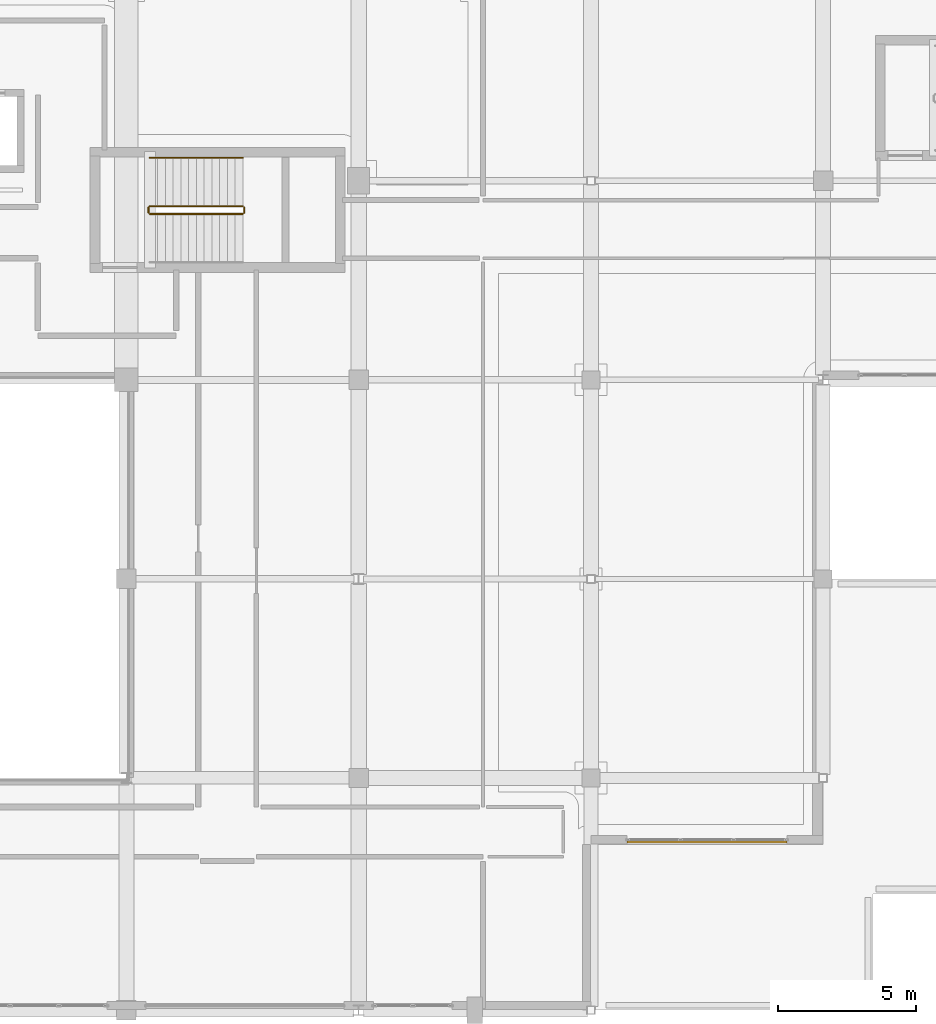
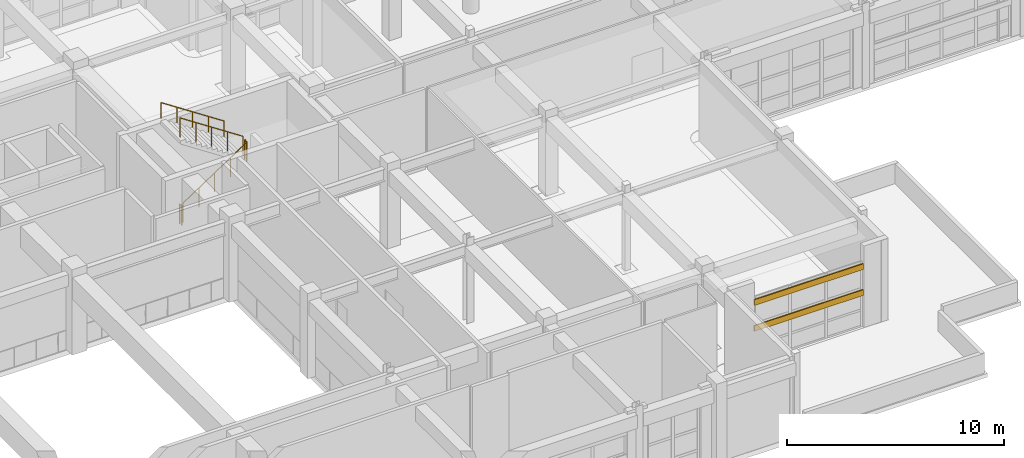
# One storey, part 120 of 123: 5 railings, 2 shading devices.
"""IFC4 building model written with IfcOpenShell, lengths in metres."""

from ifc_helpers import new_model, si_unit, direction, frame, origin, origin_2d, place, context, subcontext, project, spatial, hollow_rectangle, circle, extrude, material, material_profile, profile_set, type_object, element, save


model = new_model("IFC4")

# Units and contexts
model_context = context("Model", 3, precision=1e-05, world=origin(), true_north=direction((0.0, 1.0)))
body_context = subcontext(model_context, "Body", "Model", "MODEL_VIEW")
ifc_project = project(units=[si_unit("LENGTHUNIT", "METRE"), si_unit("AREAUNIT", "SQUARE_METRE"), si_unit("VOLUMEUNIT", "CUBIC_METRE"), si_unit("PLANEANGLEUNIT", "RADIAN"), si_unit("MASSUNIT", "GRAM", prefix="KILO")], contexts=[model_context])

# Site, building, storey
site_placement = place(None, origin())
site = spatial("IfcSite", under=ifc_project, at=site_placement, CompositionType="ELEMENT")
building_placement = place(site_placement, origin())
building = spatial("IfcBuilding", under=site, at=building_placement, Name="Quendrovan Civic Courthouse", CompositionType="ELEMENT")
storey_placement = place(building_placement, frame((0.0, 0.0, 5.39990234375)))
storey = spatial("IfcBuildingStorey", under=building, at=storey_placement, Name="L02", CompositionType="ELEMENT", Elevation=5.39990234375)

# Railings
ifc_material_1 = material(Name="Painted galvanized steel", Category="steel")
railing_type_1 = type_object("IfcRailingType", Name="RL-STR-GUARD1100", PredefinedType="GUARDRAIL", material=ifc_material_1)
railing_1_placement = place(storey_placement, frame((84.85009765625, 93.60009765625, 0.184814453125)))
element("IfcRailing", 1, at=railing_1_placement, inside=storey, type_object=railing_type_1, Name="L02 ST3 stair guard 1", PredefinedType="GUARDRAIL", context=body_context, shape_type="SweptSolid", body=[
    extrude(circle(Radius=0.02392578125, at=origin_2d()), frame((0.0, 0.0, 1.076171875), z_axis=(0.834858096282, 0.0, 0.550465220583), x_axis=(0.0, 1.0, 0.0)), (0.0, 0.0, 1.0), 4.0244140625),
    extrude(circle(Radius=0.02099609375, at=origin_2d()), origin(), (0.0, 0.0, 1.0), 1.052001953125),
    extrude(circle(Radius=0.02099609375, at=origin_2d()), frame((0.83984375, 0.0, 0.5537109375)), (0.0, 0.0, 1.0), 1.052001953125),
    extrude(circle(Radius=0.02099609375, at=origin_2d()), frame((1.679931640625, 0.0, 1.107666015625)), (0.0, 0.0, 1.0), 1.052001953125),
    extrude(circle(Radius=0.02099609375, at=origin_2d()), frame((2.52001953125, 0.0, 1.66162109375)), (0.0, 0.0, 1.0), 1.052001953125),
    extrude(circle(Radius=0.02099609375, at=origin_2d()), frame((3.35986328125, 0.0, 2.21533203125)), (0.0, 0.0, 1.0), 1.052001953125),
])
railing_2_placement = place(storey_placement, frame((88.260009765625, 93.64990234375, 2.400146484375)))
element("IfcRailing", 2, at=railing_2_placement, inside=storey, type_object=railing_type_1, Name="L02 ST3 stair guard 2", PredefinedType="GUARDRAIL", context=body_context, shape_type="SweptSolid", body=[
    extrude(circle(Radius=0.02392578125, at=origin_2d()), frame((0.0, 0.0, 1.076171875), z_axis=(0.0, 1.0, 0.0), x_axis=(-1.0, 0.0, 0.0)), (0.0, 0.0, 1.0), 0.18017578125),
    extrude(circle(Radius=0.02099609375, at=origin_2d()), origin(), (0.0, 0.0, 1.0), 1.052001953125),
    extrude(circle(Radius=0.02099609375, at=origin_2d()), frame((0.0, 0.18017578125, 0.0)), (0.0, 0.0, 1.0), 1.052001953125),
])
railing_3_placement = place(storey_placement, frame((88.2099609375, 93.8798828125, 2.584716796875)))
element("IfcRailing", 3, at=railing_3_placement, inside=storey, type_object=railing_type_1, Name="L02 ST3 stair guard 3", PredefinedType="GUARDRAIL", context=body_context, shape_type="SweptSolid", body=[
    extrude(circle(Radius=0.02392578125, at=origin_2d()), frame((0.0, 0.0, 1.076171875), z_axis=(-0.834858096282, 0.0, 0.550465220583), x_axis=(0.0, -1.0, 0.0)), (0.0, 0.0, 1.0), 4.0244140625),
    extrude(circle(Radius=0.02099609375, at=origin_2d()), origin(), (0.0, 0.0, 1.0), 1.052001953125),
    extrude(circle(Radius=0.02099609375, at=origin_2d()), frame((-0.83984375, 0.0, 0.5537109375)), (0.0, 0.0, 1.0), 1.052001953125),
    extrude(circle(Radius=0.02099609375, at=origin_2d()), frame((-1.679931640625, 0.0, 1.107666015625)), (0.0, 0.0, 1.0), 1.052001953125),
    extrude(circle(Radius=0.02099609375, at=origin_2d()), frame((-2.52001953125, 0.0, 1.66162109375)), (0.0, 0.0, 1.0), 1.052001953125),
    extrude(circle(Radius=0.02099609375, at=origin_2d()), frame((-3.35986328125, 0.0, 2.21533203125)), (0.0, 0.0, 1.0), 1.052001953125),
])
railing_4_placement = place(storey_placement, frame((84.800048828125, 93.64990234375, 0.0)))
element("IfcRailing", 4, at=railing_4_placement, inside=storey, type_object=railing_type_1, Name="L02 ST3 stair guard 4", PredefinedType="GUARDRAIL", context=body_context, shape_type="SweptSolid", body=[
    extrude(circle(Radius=0.02392578125, at=origin_2d()), frame((0.0, 0.0, 1.076171875), z_axis=(0.0, 1.0, 0.0), x_axis=(-1.0, 0.0, 0.0)), (0.0, 0.0, 1.0), 0.18017578125),
    extrude(circle(Radius=0.02099609375, at=origin_2d()), origin(), (0.0, 0.0, 1.0), 1.052001953125),
    extrude(circle(Radius=0.02099609375, at=origin_2d()), frame((0.0, 0.18017578125, 0.0)), (0.0, 0.0, 1.0), 1.052001953125),
])
ifc_material_2 = material(Name="Bronze anodised aluminium", Category="aluminium")
railing_type_2 = type_object("IfcRailingType", Name="RL-STR-HAND900", PredefinedType="HANDRAIL", material=ifc_material_2)
railing_5_placement = place(storey_placement, frame((88.2099609375, 95.6298828125, 2.584716796875)))
element("IfcRailing", 5, at=railing_5_placement, inside=storey, type_object=railing_type_2, Name="L02 ST3 stair handrail 2", PredefinedType="HANDRAIL", context=body_context, shape_type="SweptSolid", body=[
    extrude(circle(Radius=0.02392578125, at=origin_2d()), frame((0.0, 0.0, 0.8759765625), z_axis=(-0.834858096282, 0.0, 0.550465220583), x_axis=(0.0, -1.0, 0.0)), (0.0, 0.0, 1.0), 4.0244140625),
    extrude(circle(Radius=0.02099609375, at=origin_2d()), origin(), (0.0, 0.0, 1.0), 0.851806640625),
    extrude(circle(Radius=0.02099609375, at=origin_2d()), frame((-0.83984375, 0.0, 0.5537109375)), (0.0, 0.0, 1.0), 0.851806640625),
    extrude(circle(Radius=0.02099609375, at=origin_2d()), frame((-1.679931640625, 0.0, 1.107666015625)), (0.0, 0.0, 1.0), 0.851806640625),
    extrude(circle(Radius=0.02099609375, at=origin_2d()), frame((-2.52001953125, 0.0, 1.66162109375)), (0.0, 0.0, 1.0), 0.851806640625),
    extrude(circle(Radius=0.02099609375, at=origin_2d()), frame((-3.35986328125, 0.0, 2.21533203125)), (0.0, 0.0, 1.0), 0.851806640625),
])

# Shading devices
ifc_material_profile = material_profile(ifc_material_2, hollow_rectangle(XDim=0.06494140625, YDim=0.320068359375, WallThickness=0.0048828125, at=origin_2d()), Name="AL-LOUVRE-65x320")
ifc_profile_set = profile_set([ifc_material_profile], Name="Bronze anodised aluminium")
shading_device_type = type_object("IfcShadingDeviceType", Name="SHD-STORM-LOUVRE", PredefinedType="JALOUSIE", material=ifc_profile_set)
for number, where, z_axis, x_axis, name in (
    (6, (107.89990234375, 70.885009765625, 1.9501953125), (-1.0, 0.0, 0.0), (0.0, -1.0, 0.0), "L02 Bronze Hurricane Storm Louvre SLV-105"),
    (7, (107.89990234375, 70.885009765625, 3.41015625), (-1.0, 0.0, 0.0), (0.0, -1.0, 0.0), "L02 Bronze Hurricane Storm Louvre SLV-106"),
):
    element("IfcShadingDevice", number, at=place(storey_placement, frame(where, z_axis=z_axis, x_axis=x_axis)), inside=storey, type_object=shading_device_type, Name=name, PredefinedType="JALOUSIE", context=body_context, shape_type="SweptSolid", body=[
        extrude(hollow_rectangle(XDim=0.06494140625, YDim=0.320068359375, WallThickness=0.0048828125, at=origin_2d()), origin(), (0.0, 0.0, 1.0), 5.7998046875),
    ])

save(model, "model.ifc")
